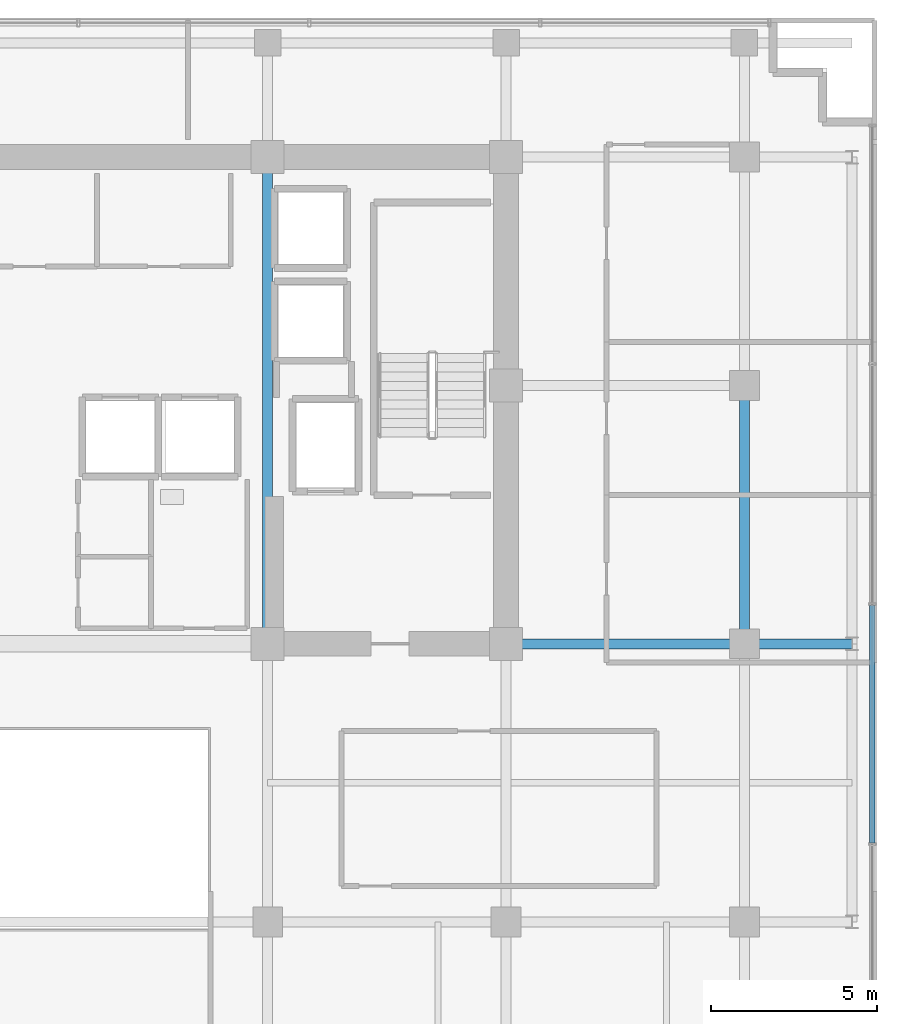
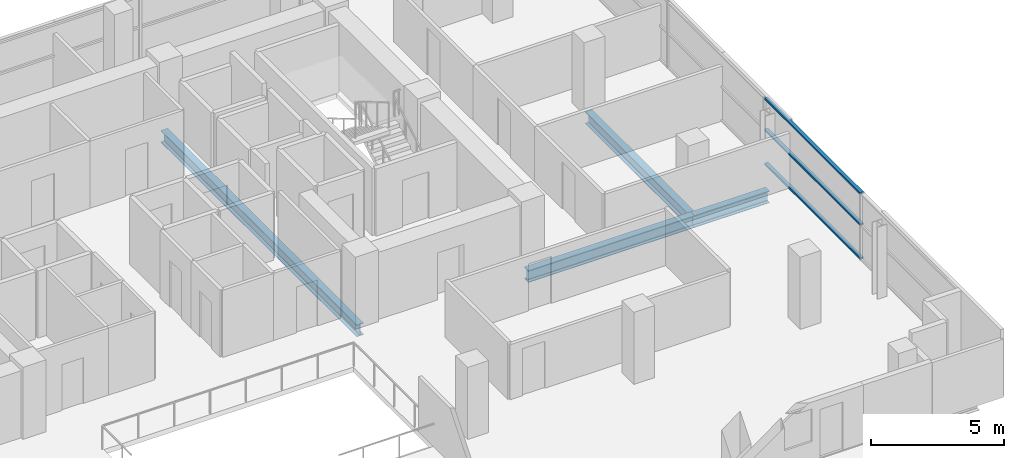
# One storey, part 13 of 27: 4 beams, 3 members, 1 element without a shape of its own.
"""IFC4 building model written with IfcOpenShell, lengths in metres."""

from ifc_helpers import new_model, si_unit, direction, frame, origin, origin_2d, place, context, subcontext, project, spatial, hollow_rectangle, i_section, extrude, source, transform, mapped, material, layer, layer_set, material_profile, profile_set, type_object, element, aggregate, save


model = new_model("IFC4")

# Units and contexts
model_context = context("Model", 3, precision=1e-05, world=origin(), true_north=direction((0.0, 1.0)))
body_context = subcontext(model_context, "Body", "Model", "MODEL_VIEW")
ifc_project = project(units=[si_unit("LENGTHUNIT", "METRE"), si_unit("AREAUNIT", "SQUARE_METRE"), si_unit("VOLUMEUNIT", "CUBIC_METRE"), si_unit("PLANEANGLEUNIT", "RADIAN"), si_unit("MASSUNIT", "GRAM", prefix="KILO")], contexts=[model_context])

# Site, building, storey
site_placement = place(None, origin())
site = spatial("IfcSite", under=ifc_project, at=site_placement, CompositionType="ELEMENT")
building_placement = place(site_placement, origin())
building = spatial("IfcBuilding", under=site, at=building_placement, Name="Zarnakvel Exchange Tower", CompositionType="ELEMENT")
storey_placement = place(building_placement, frame((0.0, 0.0, 96.699951171875)))
storey = spatial("IfcBuildingStorey", under=building, at=storey_placement, Name="L26", CompositionType="ELEMENT", Elevation=96.699951171875)

# Beams
ifc_material_1 = material(Name="Steel S355", Category="steel")
ifc_material_profile_1 = material_profile(ifc_material_1, i_section(OverallWidth=0.300048828125, OverallDepth=0.550048828125, WebThickness=0.014892578125, FlangeThickness=0.029052734375, FilletRadius=0.027099609375, at=origin_2d()))
ifc_profile_set_1 = profile_set([ifc_material_profile_1], Name="Steel S355")
beam_type = type_object("IfcBeamType", Name="G-05", PredefinedType="BEAM", material=ifc_profile_set_1)
beam_1_placement = place(storey_placement, frame((14.39990234375, -1.199951171875, -0.5), z_axis=(1.0, 0.0, 0.0), x_axis=(0.0, 1.0, 0.0)))
element("IfcBeam", 1, at=beam_1_placement, inside=storey, type_object=beam_type, Name="L26 Tower E-W Frame Beam", PredefinedType="BEAM", context=body_context, shape_type="SweptSolid", body=[
    extrude(i_section(OverallWidth=0.300048828125, OverallDepth=0.550048828125, WebThickness=0.014892578125, FlangeThickness=0.029052734375, FilletRadius=0.027099609375, at=origin_2d()), origin(), (0.0, 0.0, 1.0), 7.2001953125),
])
beam_2_placement = place(storey_placement, frame((21.60009765625, -1.199951171875, -0.5), z_axis=(1.0, 0.0, 0.0), x_axis=(0.0, 1.0, 0.0)))
element("IfcBeam", 2, at=beam_2_placement, inside=storey, type_object=beam_type, Name="L26 Tower E-W Frame Beam", PredefinedType="BEAM", context=body_context, shape_type="SweptSolid", body=[
    extrude(i_section(OverallWidth=0.300048828125, OverallDepth=0.550048828125, WebThickness=0.014892578125, FlangeThickness=0.029052734375, FilletRadius=0.027099609375, at=origin_2d()), origin(), (0.0, 0.0, 1.0), 3.25),
])
beam_3_placement = place(storey_placement, frame((7.199951171875, -1.199951171875, -0.5), z_axis=(0.0, 1.0, 0.0), x_axis=(-1.0, 0.0, 0.0)))
element("IfcBeam", 3, at=beam_3_placement, inside=storey, type_object=beam_type, Name="L26 Tower N-S Frame Beam", PredefinedType="BEAM", context=body_context, shape_type="SweptSolid", body=[
    extrude(i_section(OverallWidth=0.300048828125, OverallDepth=0.550048828125, WebThickness=0.014892578125, FlangeThickness=0.029052734375, FilletRadius=0.027099609375, at=origin_2d()), origin(), (0.0, 0.0, 1.0), 14.699951171875),
])
beam_4_placement = place(storey_placement, frame((21.60009765625, -1.199951171875, -0.5), z_axis=(0.0, 1.0, 0.0), x_axis=(-1.0, 0.0, 0.0)))
element("IfcBeam", 4, at=beam_4_placement, inside=storey, type_object=beam_type, Name="L26 Tower N-S Frame Beam", PredefinedType="BEAM", context=body_context, shape_type="SweptSolid", body=[
    extrude(i_section(OverallWidth=0.300048828125, OverallDepth=0.550048828125, WebThickness=0.014892578125, FlangeThickness=0.029052734375, FilletRadius=0.027099609375, at=origin_2d()), origin(), (0.0, 0.0, 1.0), 7.800048828125),
])

# Curtain wall, members
ifc_material_2 = material(Name="Architectural Bronze Anodised Aluminium", Category="aluminium")
ifc_layer = layer(ifc_material_2, 0.199951171875)
ifc_layer_set = layer_set([ifc_layer], Name="Architectural Bronze Anodised Aluminium")
curtain_wall_type = type_object("IfcCurtainWallType", Name="CW-04", PredefinedType="NOTDEFINED", material=ifc_layer_set)
curtain_wall_placement = place(storey_placement, origin())
curtain_wall = element("IfcCurtainWall", 5, at=curtain_wall_placement, inside=storey, type_object=curtain_wall_type, Name="L26 Curtain Wall CW-L26-E1 (CW-04)", PredefinedType="NOTDEFINED")
ifc_material_profile_2 = material_profile(ifc_material_2, hollow_rectangle(XDim=0.159912109375, YDim=0.074951171875, WallThickness=0.00390625, at=origin_2d()))
ifc_profile_set_2 = profile_set([ifc_material_profile_2], Name="Architectural Bronze Anodised Aluminium")
member_type = type_object("IfcMemberType", Name="CWT-04", PredefinedType="USERDEFINED", material=ifc_profile_set_2)
shared_shape = source(origin(), body_context, "Body", "SweptSolid", [
    extrude(hollow_rectangle(XDim=0.159912109375, YDim=0.074951171875, WallThickness=0.00390625, at=origin_2d()), origin(), (0.0, 0.0, 1.0), 7.1748046875),
])
member_1_placement = place(storey_placement, frame((25.4599609375, -7.21240234375, 0.03759765625), z_axis=(0.0, 1.0, 0.0), x_axis=(-1.0, 0.0, 0.0)))
member_1 = element("IfcMember", 6, at=member_1_placement, type_object=member_type, Name="CW-04 transom 2.1", ObjectType="TRANSOM", PredefinedType="USERDEFINED", context=body_context, shape_type="MappedRepresentation", body=[
    mapped(shared_shape, transform((0.0, 0.0, 0.0), x_axis=(1.0, 0.0, 0.0), y_axis=(0.0, 1.0, 0.0), z_axis=(0.0, 0.0, 1.0), scale=1.0)),
])
member_2_placement = place(storey_placement, frame((25.4599609375, -7.21240234375, 1.588623046875), z_axis=(0.0, 1.0, 0.0), x_axis=(-1.0, 0.0, 0.0)))
member_2 = element("IfcMember", 7, at=member_2_placement, type_object=member_type, Name="CW-04 transom 2.2", ObjectType="TRANSOM", PredefinedType="USERDEFINED", context=body_context, shape_type="MappedRepresentation", body=[
    mapped(shared_shape, transform((0.0, 0.0, 0.0), x_axis=(1.0, 0.0, 0.0), y_axis=(0.0, 1.0, 0.0), z_axis=(0.0, 0.0, 1.0), scale=1.0)),
])
member_3_placement = place(storey_placement, frame((25.4599609375, -7.21240234375, 3.017578125), z_axis=(0.0, 1.0, 0.0), x_axis=(-1.0, 0.0, 0.0)))
member_3 = element("IfcMember", 8, at=member_3_placement, type_object=member_type, Name="CW-04 transom 2.3", ObjectType="TRANSOM", PredefinedType="USERDEFINED", context=body_context, shape_type="MappedRepresentation", body=[
    mapped(shared_shape, transform((0.0, 0.0, 0.0), x_axis=(1.0, 0.0, 0.0), y_axis=(0.0, 1.0, 0.0), z_axis=(0.0, 0.0, 1.0), scale=1.0)),
])
aggregate(curtain_wall, [member_1, member_2, member_3])

save(model, "model.ifc")
